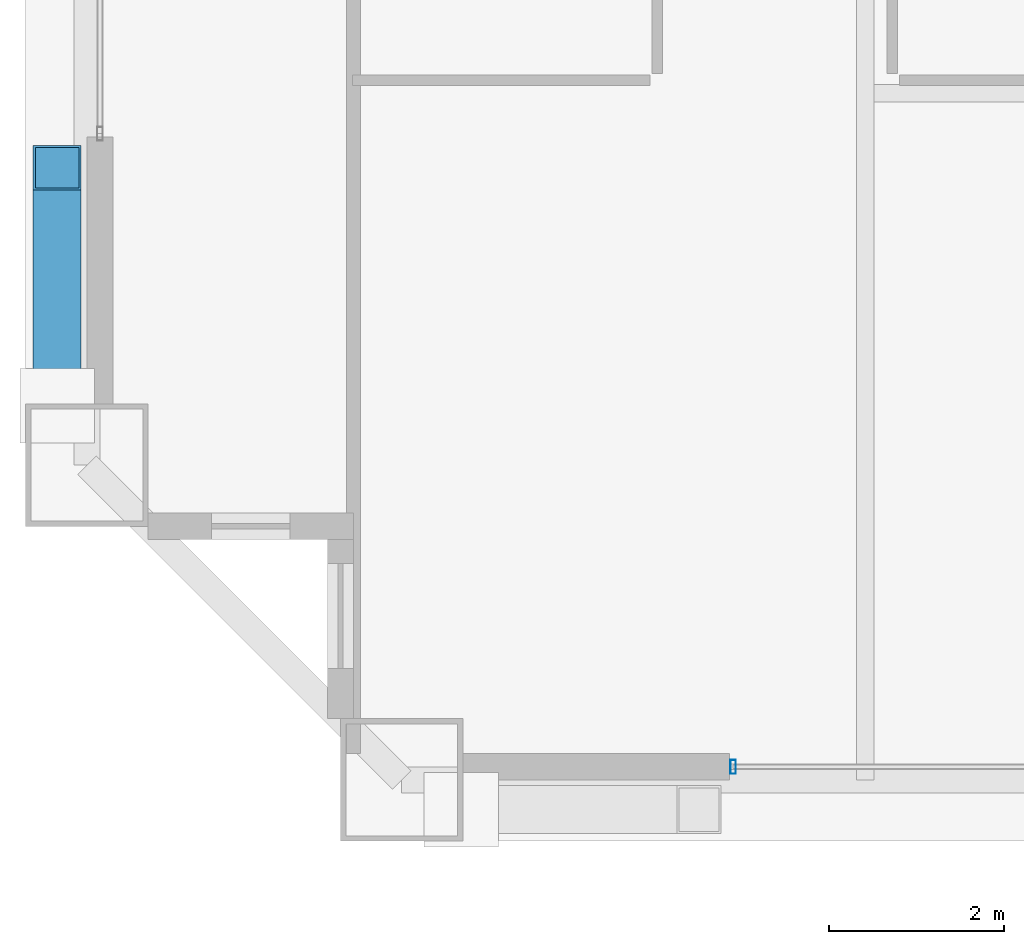
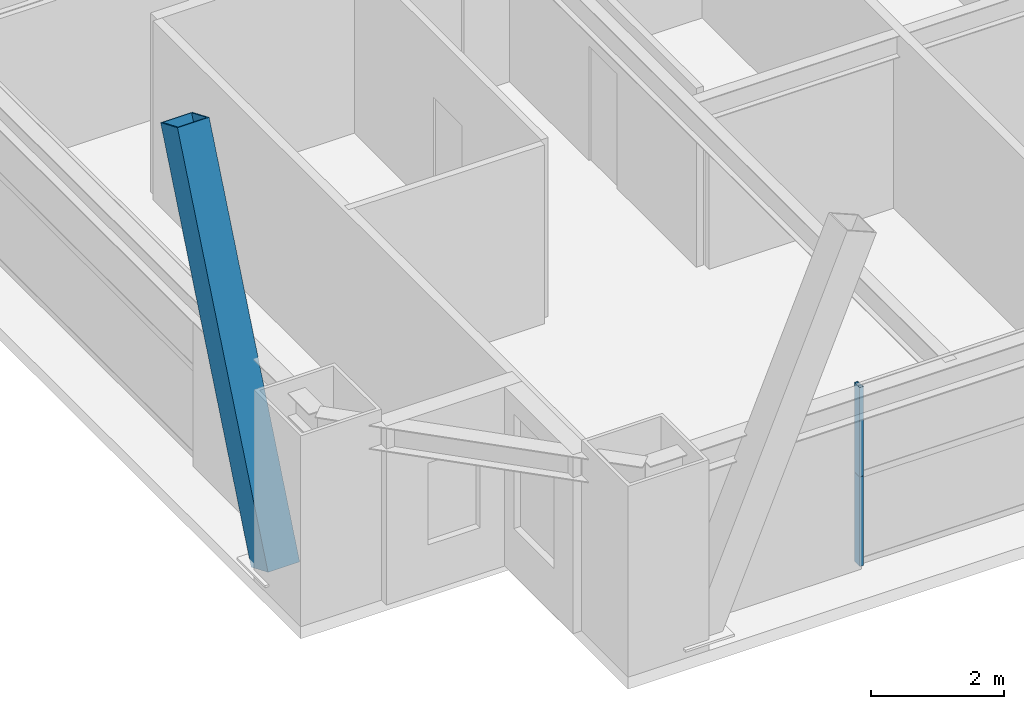
# One storey, part 4 of 42: 3 members, 1 element without a shape of its own.
"""IFC4 building model written with IfcOpenShell, lengths in metres."""

from ifc_helpers import new_model, si_unit, direction, frame, origin, origin_2d, place, context, subcontext, project, spatial, hollow_rectangle, extrude, source, transform, mapped, material, layer, layer_set, material_profile, profile_set, type_object, element, aggregate, save


model = new_model("IFC4")

# Units and contexts
model_context = context("Model", 3, precision=1e-05, world=origin(), true_north=direction((0.0, 1.0)))
body_context = subcontext(model_context, "Body", "Model", "MODEL_VIEW")
ifc_project = project(units=[si_unit("LENGTHUNIT", "METRE"), si_unit("AREAUNIT", "SQUARE_METRE"), si_unit("VOLUMEUNIT", "CUBIC_METRE"), si_unit("PLANEANGLEUNIT", "RADIAN"), si_unit("MASSUNIT", "GRAM", prefix="KILO"), si_unit("THERMODYNAMICTEMPERATUREUNIT", "KELVIN"), si_unit("POWERUNIT", "WATT")], contexts=[model_context])

# Site, building, storey
site_placement = place(None, origin())
site = spatial("IfcSite", under=ifc_project, at=site_placement, CompositionType="ELEMENT")
building_placement = place(site_placement, origin())
building = spatial("IfcBuilding", under=site, at=building_placement, Name="Yuzanri Waterfront Tower", CompositionType="ELEMENT")
storey_placement = place(building_placement, frame((0.0, 0.0, 184.5)))
storey = spatial("IfcBuildingStorey", under=building, at=storey_placement, Name="L48", CompositionType="ELEMENT", Elevation=184.5)

# Member
ifc_material_1 = material(Name="Steel Q390GJC", Category="steel")
ifc_material_profile_1 = material_profile(ifc_material_1, hollow_rectangle(XDim=0.550048828125, YDim=0.550048828125, WallThickness=0.02490234375, at=origin_2d()), Name="RHS 550x550x25")
ifc_profile_set_1 = profile_set([ifc_material_profile_1], Name="Steel Q390GJC")
member_type_1 = type_object("IfcMemberType", Name="Mega Brace Mid Q390GJC RHS 550x550x25", PredefinedType="BRACE", material=ifc_profile_set_1)
shared_shape_1 = source(origin(), body_context, "Body", "SweptSolid", [
    extrude(hollow_rectangle(XDim=0.550048828125, YDim=0.550048828125, WallThickness=0.02490234375, at=origin_2d()), origin(), (0.0, 0.0, 1.0), 7.046142578125),
])
member_1_placement = place(storey_placement, frame((14.56005859375, 7.97998046875, 0.179931640625), z_axis=(0.0, 0.386022211732, 0.922489486146), x_axis=(-1.0, 0.0, 0.0)))
element("IfcMember", 1, at=member_1_placement, inside=storey, type_object=member_type_1, Name="L48-L49 Perimeter Mega-Brace W-L", PredefinedType="BRACE", context=body_context, shape_type="MappedRepresentation", body=[
    mapped(shared_shape_1, transform((0.0, 0.0, 0.0), scale=1.0)),
])

# Curtain wall, members
ifc_material_2 = material(Name="Anodized Architectural Bronze", Category="metal")
ifc_layer = layer(ifc_material_2, 0.159912109375)
ifc_layer_set = layer_set([ifc_layer], Name="Anodized Architectural Bronze")
curtain_wall_type = type_object("IfcCurtainWallType", Name="Anodized Bronze Mid-Rise Residential Acoustic Unitized Curtain Wall 7200", PredefinedType="NOTDEFINED", material=ifc_layer_set)
curtain_wall_placement = place(storey_placement, origin())
curtain_wall = element("IfcCurtainWall", 2, at=curtain_wall_placement, inside=storey, type_object=curtain_wall_type, Name="L48 Curtain Wall CW-L48-SL1", PredefinedType="NOTDEFINED")
ifc_material_3 = material(Name="Anodized Architectural Bronze", Category="metal")
ifc_material_profile_2 = material_profile(ifc_material_3, hollow_rectangle(XDim=0.06494140625, YDim=0.159912109375, WallThickness=0.00341796875, at=origin_2d()), Name="CWM 65x160")
ifc_profile_set_2 = profile_set([ifc_material_profile_2], Name="Anodized Architectural Bronze")
member_type_2 = type_object("IfcMemberType", Name="Anodized Bronze Upper-Zone Curtain-Wall Mullion 65x160", PredefinedType="MULLION", material=ifc_profile_set_2)
shared_shape_2 = source(origin(), body_context, "Body", "SweptSolid", [
    extrude(hollow_rectangle(XDim=0.06494140625, YDim=0.159912109375, WallThickness=0.00341796875, at=origin_2d()), origin(), (0.0, 0.0, 1.0), 1.637939453125),
])
member_2_placement = place(storey_placement, frame((22.2900390625, 3.85009765625, 0.0), z_axis=(0.0, 0.0, 1.0), x_axis=(1.0, 0.0, 0.0)))
member_2 = element("IfcMember", 3, at=member_2_placement, type_object=member_type_2, Name="CW-L48-SL1 Lower Mullion 00", PredefinedType="MULLION", context=body_context, shape_type="MappedRepresentation", body=[
    mapped(shared_shape_2, transform((0.0, 0.0, 0.0), scale=1.0)),
])
member_3_placement = place(storey_placement, frame((22.2900390625, 3.85009765625, 1.64208984375), z_axis=(0.0, 0.0, 1.0), x_axis=(1.0, 0.0, 0.0)))
member_3 = element("IfcMember", 4, at=member_3_placement, type_object=member_type_2, Name="CW-L48-SL1 Upper Mullion 00", PredefinedType="MULLION", context=body_context, shape_type="MappedRepresentation", body=[
    mapped(shared_shape_2, transform((0.0, 0.0, 0.0), scale=1.0)),
])
aggregate(curtain_wall, [member_2, member_3])

save(model, "model.ifc")
